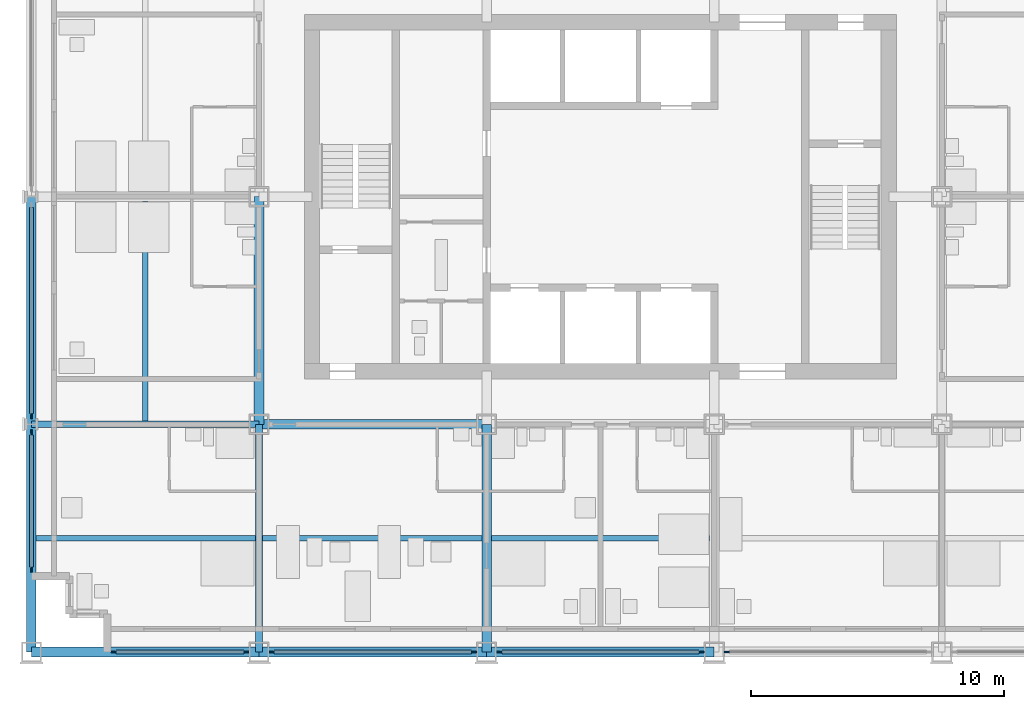
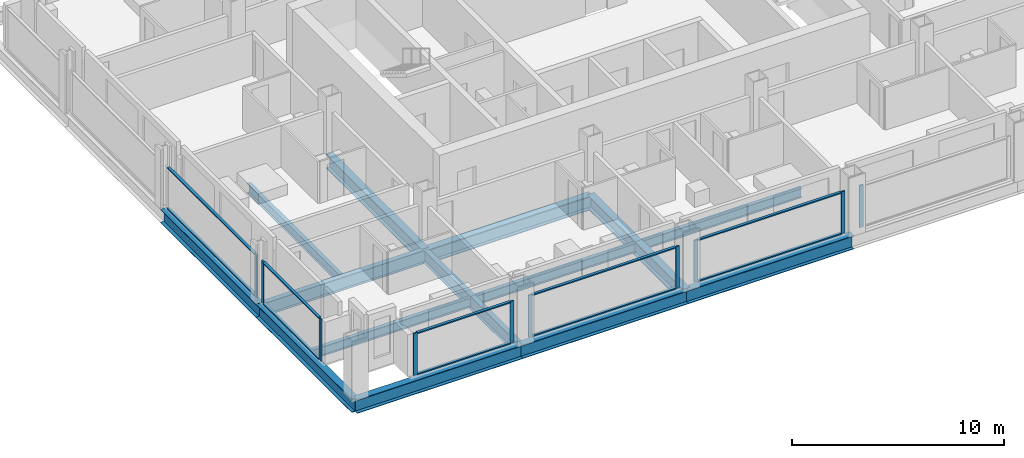
# One storey, part 2 of 16: 20 members, 14 beams, 6 elements without a shape of their own.
"""IFC4 building model written with IfcOpenShell, lengths in metres."""

from ifc_helpers import new_model, si_unit, direction, frame, origin, origin_2d, place, context, subcontext, project, spatial, rectangle, i_section, extrude, material, material_profile, profile_set, type_object, element, aggregate, save


model = new_model("IFC4")

# Units and contexts
model_context = context("Model", 3, precision=1e-05, world=origin(), true_north=direction((0.0, 1.0)))
body_context = subcontext(model_context, "Body", "Model", "MODEL_VIEW")
ifc_project = project(units=[si_unit("LENGTHUNIT", "METRE"), si_unit("AREAUNIT", "SQUARE_METRE"), si_unit("VOLUMEUNIT", "CUBIC_METRE"), si_unit("PLANEANGLEUNIT", "RADIAN"), si_unit("MASSUNIT", "GRAM", prefix="KILO")], contexts=[model_context])

# Site, building, storey
site_placement = place(None, origin())
site = spatial("IfcSite", under=ifc_project, at=site_placement, CompositionType="ELEMENT")
building_placement = place(site_placement, origin())
building = spatial("IfcBuilding", under=site, at=building_placement, Name="Loomwork Tower", CompositionType="ELEMENT")
storey_placement = place(building_placement, frame((0.0, 0.0, 135.0)))
storey = spatial("IfcBuildingStorey", under=building, at=storey_placement, Name="L36", CompositionType="ELEMENT", Elevation=135.0)

# Beams
ifc_material_1 = material(Name="Steel ASTM A992", Category="steel")
ifc_material_profile_1 = material_profile(ifc_material_1, i_section(OverallWidth=0.383544921875, OverallDepth=0.794921875, WebThickness=0.02099609375, FlangeThickness=0.0380859375, at=origin_2d()), Name="W30x235")
ifc_profile_set_1 = profile_set([ifc_material_profile_1], Name="Steel ASTM A992")
beam_type_1 = type_object("IfcBeamType", Name="CORE FLANK GIRDER W30x235", PredefinedType="BEAM", material=ifc_profile_set_1)
for number, where, z_axis, x_axis, name in (
    (1, (9.0, 9.0, -0.597412109375), (1.0, 0.0, 0.0), (0.0, 1.0, 0.0), "Core Flank Girder E/3-E/4 L36"),
    (2, (9.0, 9.0, -0.597412109375), (0.0, 1.0, 0.0), (-1.0, 0.0, 0.0), "Core Flank Girder E/3-F/3 L36"),
    (3, (18.0, 0.0, -0.597412109375), (0.0, 1.0, 0.0), (-1.0, 0.0, 0.0), "Core Flank Girder D/4-E/4 L36"),
):
    element("IfcBeam", number, at=place(storey_placement, frame(where, z_axis=z_axis, x_axis=x_axis)), inside=storey, type_object=beam_type_1, Name=name, PredefinedType="BEAM", context=body_context, shape_type="SweptSolid", body=[
        extrude(i_section(OverallWidth=0.383544921875, OverallDepth=0.794921875, WebThickness=0.02099609375, FlangeThickness=0.0380859375, at=origin_2d()), origin(), (0.0, 0.0, 1.0), 9.0),
    ])
ifc_material_2 = material(Name="Steel ASTM A992", Category="steel")
ifc_material_profile_2 = material_profile(ifc_material_2, i_section(OverallWidth=0.2666015625, OverallDepth=0.761962890625, WebThickness=0.014404296875, FlangeThickness=0.021484375, at=origin_2d()), Name="W30x116")
ifc_profile_set_2 = profile_set([ifc_material_profile_2], Name="Steel ASTM A992")
beam_type_2 = type_object("IfcBeamType", Name="FLOOR GIRDER W30x116", PredefinedType="BEAM", material=ifc_profile_set_2)
for number, where, z_axis, x_axis, name in (
    (4, (0.0, 9.0, -0.5810546875), (1.0, 0.0, 0.0), (0.0, 1.0, 0.0), "Floor Girder E/2-E/3 L36"),
    (5, (9.0, 0.0, -0.5810546875), (0.0, 1.0, 0.0), (-1.0, 0.0, 0.0), "Floor Girder D/3-E/3 L36"),
):
    element("IfcBeam", number, at=place(storey_placement, frame(where, z_axis=z_axis, x_axis=x_axis)), inside=storey, type_object=beam_type_2, Name=name, PredefinedType="BEAM", context=body_context, shape_type="SweptSolid", body=[
        extrude(i_section(OverallWidth=0.2666015625, OverallDepth=0.761962890625, WebThickness=0.014404296875, FlangeThickness=0.021484375, at=origin_2d()), origin(), (0.0, 0.0, 1.0), 9.0),
    ])
ifc_material_3 = material(Name="Steel ASTM A992", Category="steel")
ifc_material_profile_3 = material_profile(ifc_material_3, i_section(OverallWidth=0.2109375, OverallDepth=0.53857421875, WebThickness=0.011474609375, FlangeThickness=0.018798828125, at=origin_2d()), Name="W21x73")
ifc_profile_set_3 = profile_set([ifc_material_profile_3], Name="Steel ASTM A992")
beam_type_3 = type_object("IfcBeamType", Name="FLOOR JOIST W21x73", PredefinedType="JOIST", material=ifc_profile_set_3)
beam_1_placement = place(storey_placement, frame((0.18994140625, 4.5, -0.46923828125), z_axis=(1.0, 0.0, 0.0), x_axis=(0.0, 1.0, 0.0)))
element("IfcBeam", 6, at=beam_1_placement, inside=storey, type_object=beam_type_3, Name="Floor Joist 0.000,4.500-9.000,4.500 L36", PredefinedType="JOIST", context=body_context, shape_type="SweptSolid", body=[
    extrude(i_section(OverallWidth=0.2109375, OverallDepth=0.53857421875, WebThickness=0.011474609375, FlangeThickness=0.018798828125, at=origin_2d()), origin(), (0.0, 0.0, 1.0), 8.677001953125),
])
for number, where, z_axis, x_axis, name in (
    (7, (4.5, 9.133056640625, -0.46923828125), (0.0, 1.0, 0.0), (-1.0, 0.0, 0.0), "Floor Joist 4.500,9.000-4.500,18.000 L36"),
    (8, (9.133056640625, 4.5, -0.46923828125), (1.0, 0.0, 0.0), (0.0, 1.0, 0.0), "Floor Joist 9.000,4.500-18.000,4.500 L36"),
):
    element("IfcBeam", number, at=place(storey_placement, frame(where, z_axis=z_axis, x_axis=x_axis)), inside=storey, type_object=beam_type_3, Name=name, PredefinedType="JOIST", context=body_context, shape_type="SweptSolid", body=[
        extrude(i_section(OverallWidth=0.2109375, OverallDepth=0.53857421875, WebThickness=0.011474609375, FlangeThickness=0.018798828125, at=origin_2d()), origin(), (0.0, 0.0, 1.0), 8.676025390625),
    ])
beam_2_placement = place(storey_placement, frame((18.19091796875, 4.5, -0.46923828125), z_axis=(1.0, 0.0, 0.0), x_axis=(0.0, 1.0, 0.0)))
element("IfcBeam", 9, at=beam_2_placement, inside=storey, type_object=beam_type_3, Name="Floor Joist 18.000,4.500-27.000,4.500 L36", PredefinedType="JOIST", context=body_context, shape_type="SweptSolid", body=[
    extrude(i_section(OverallWidth=0.2109375, OverallDepth=0.53857421875, WebThickness=0.011474609375, FlangeThickness=0.018798828125, at=origin_2d()), origin(), (0.0, 0.0, 1.0), 8.6181640625),
])

# Curtain wall, members
ifc_material_4 = material(Name="Aluminium curtain wall frame", Category="aluminium")
curtain_wall_type = type_object("IfcCurtainWallType", Name="Outer skin glazing hotel", PredefinedType="NOTDEFINED", material=ifc_material_4)
curtain_wall_1_placement = place(storey_placement, origin())
curtain_wall_1 = element("IfcCurtainWall", 10, at=curtain_wall_1_placement, inside=storey, type_object=curtain_wall_type, Name="Outer skin glazing hotel cw/S-0", PredefinedType="NOTDEFINED")
ifc_material_5 = material(Name="Aluminium curtain wall frame", Category="aluminium")
ifc_material_profile_4 = material_profile(ifc_material_5, rectangle(XDim=0.06494140625, YDim=0.199951171875, at=origin_2d()), Name="AL 65x200")
ifc_profile_set_4 = profile_set([ifc_material_profile_4], Name="Aluminium curtain wall frame")
member_type_1 = type_object("IfcMemberType", Name="Outer skin glazing hotel mullion", PredefinedType="MULLION", material=ifc_profile_set_4)
member_1_placement = place(storey_placement, frame((3.25, 0.0, 0.0), z_axis=(0.0, 0.0, 1.0), x_axis=(0.0, 1.0, 0.0)))
member_1 = element("IfcMember", 11, at=member_1_placement, type_object=member_type_1, Name="CW1 mullion 1", PredefinedType="MULLION", context=body_context, shape_type="SweptSolid", body=[
    extrude(rectangle(XDim=0.06494140625, YDim=0.199951171875, at=origin_2d()), origin(), (0.0, 0.0, 1.0), 2.420166015625),
])
member_2_placement = place(storey_placement, frame((8.5, 0.0, 0.0), z_axis=(0.0, 0.0, 1.0), x_axis=(0.0, 1.0, 0.0)))
member_2 = element("IfcMember", 12, at=member_2_placement, type_object=member_type_1, Name="CW1 mullion 2", PredefinedType="MULLION", context=body_context, shape_type="SweptSolid", body=[
    extrude(rectangle(XDim=0.06494140625, YDim=0.199951171875, at=origin_2d()), origin(), (0.0, 0.0, 1.0), 2.420166015625),
])

curtain_wall_2_placement = place(storey_placement, origin())
curtain_wall_2 = element("IfcCurtainWall", 13, at=curtain_wall_2_placement, inside=storey, type_object=curtain_wall_type, Name="Outer skin glazing hotel cw/S-9", PredefinedType="NOTDEFINED")
member_3_placement = place(storey_placement, frame((9.5, 0.0, 0.0), z_axis=(0.0, 0.0, 1.0), x_axis=(0.0, 1.0, 0.0)))
member_3 = element("IfcMember", 14, at=member_3_placement, type_object=member_type_1, Name="CW1 mullion 1", PredefinedType="MULLION", context=body_context, shape_type="SweptSolid", body=[
    extrude(rectangle(XDim=0.06494140625, YDim=0.199951171875, at=origin_2d()), origin(), (0.0, 0.0, 1.0), 2.420166015625),
])
member_4_placement = place(storey_placement, frame((17.5, 0.0, 0.0), z_axis=(0.0, 0.0, 1.0), x_axis=(0.0, 1.0, 0.0)))
member_4 = element("IfcMember", 15, at=member_4_placement, type_object=member_type_1, Name="CW1 mullion 2", PredefinedType="MULLION", context=body_context, shape_type="SweptSolid", body=[
    extrude(rectangle(XDim=0.06494140625, YDim=0.199951171875, at=origin_2d()), origin(), (0.0, 0.0, 1.0), 2.420166015625),
])

curtain_wall_3_placement = place(storey_placement, origin())
curtain_wall_3 = element("IfcCurtainWall", 16, at=curtain_wall_3_placement, inside=storey, type_object=curtain_wall_type, Name="Outer skin glazing hotel cw/S-18", PredefinedType="NOTDEFINED")
member_5_placement = place(storey_placement, frame((18.5, 0.0, 0.0), z_axis=(0.0, 0.0, 1.0), x_axis=(0.0, 1.0, 0.0)))
member_5 = element("IfcMember", 17, at=member_5_placement, type_object=member_type_1, Name="CW1 mullion 1", PredefinedType="MULLION", context=body_context, shape_type="SweptSolid", body=[
    extrude(rectangle(XDim=0.06494140625, YDim=0.199951171875, at=origin_2d()), origin(), (0.0, 0.0, 1.0), 2.420166015625),
])
member_6_placement = place(storey_placement, frame((26.5, 0.0, 0.0), z_axis=(0.0, 0.0, 1.0), x_axis=(0.0, 1.0, 0.0)))
member_6 = element("IfcMember", 18, at=member_6_placement, type_object=member_type_1, Name="CW1 mullion 2", PredefinedType="MULLION", context=body_context, shape_type="SweptSolid", body=[
    extrude(rectangle(XDim=0.06494140625, YDim=0.199951171875, at=origin_2d()), origin(), (0.0, 0.0, 1.0), 2.420166015625),
])

# Curtain wall, member
curtain_wall_4_placement = place(storey_placement, origin())
curtain_wall_4 = element("IfcCurtainWall", 19, at=curtain_wall_4_placement, inside=storey, type_object=curtain_wall_type, Name="Outer skin glazing hotel cw/S-27", PredefinedType="NOTDEFINED")
member_7_placement = place(storey_placement, frame((27.5, 0.0, 0.0), z_axis=(0.0, 0.0, 1.0), x_axis=(0.0, 1.0, 0.0)))
member_7 = element("IfcMember", 20, at=member_7_placement, type_object=member_type_1, Name="CW1 mullion 1", PredefinedType="MULLION", context=body_context, shape_type="SweptSolid", body=[
    extrude(rectangle(XDim=0.06494140625, YDim=0.199951171875, at=origin_2d()), origin(), (0.0, 0.0, 1.0), 2.420166015625),
])
aggregate(curtain_wall_4, [member_7])

# Curtain wall, members
curtain_wall_5_placement = place(storey_placement, origin())
curtain_wall_5 = element("IfcCurtainWall", 21, at=curtain_wall_5_placement, inside=storey, type_object=curtain_wall_type, Name="Outer skin glazing hotel cw/W-0", PredefinedType="NOTDEFINED")
member_8_placement = place(storey_placement, frame((0.0, 8.678955078125, 0.0), z_axis=(0.0, 0.0, 1.0), x_axis=(1.0, 0.0, 0.0)))
member_8 = element("IfcMember", 22, at=member_8_placement, type_object=member_type_1, Name="CW1 mullion 1", PredefinedType="MULLION", context=body_context, shape_type="SweptSolid", body=[
    extrude(rectangle(XDim=0.06494140625, YDim=0.199951171875, at=origin_2d()), origin(), (0.0, 0.0, 1.0), 2.420166015625),
])
member_9_placement = place(storey_placement, frame((0.0, 3.25, 0.0), z_axis=(0.0, 0.0, 1.0), x_axis=(1.0, 0.0, 0.0)))
member_9 = element("IfcMember", 23, at=member_9_placement, type_object=member_type_1, Name="CW1 mullion 2", PredefinedType="MULLION", context=body_context, shape_type="SweptSolid", body=[
    extrude(rectangle(XDim=0.06494140625, YDim=0.199951171875, at=origin_2d()), origin(), (0.0, 0.0, 1.0), 2.420166015625),
])

# Curtain wall, member
curtain_wall_6_placement = place(storey_placement, origin())
curtain_wall_6 = element("IfcCurtainWall", 24, at=curtain_wall_6_placement, inside=storey, type_object=curtain_wall_type, Name="Outer skin glazing hotel cw/W-9", PredefinedType="NOTDEFINED")
member_10_placement = place(storey_placement, frame((0.0, 9.321044921875, 0.0), z_axis=(0.0, 0.0, 1.0), x_axis=(1.0, 0.0, 0.0)))
member_10 = element("IfcMember", 25, at=member_10_placement, type_object=member_type_1, Name="CW1 mullion 2", PredefinedType="MULLION", context=body_context, shape_type="SweptSolid", body=[
    extrude(rectangle(XDim=0.06494140625, YDim=0.199951171875, at=origin_2d()), origin(), (0.0, 0.0, 1.0), 2.420166015625),
])

# Member
ifc_material_6 = material(Name="Aluminium curtain wall frame", Category="aluminium")
ifc_material_profile_5 = material_profile(ifc_material_6, rectangle(XDim=0.14990234375, YDim=0.06494140625, at=origin_2d()), Name="AL 65x150")
ifc_profile_set_5 = profile_set([ifc_material_profile_5], Name="Aluminium curtain wall frame")
member_type_2 = type_object("IfcMemberType", Name="Outer skin glazing hotel transom", PredefinedType="USERDEFINED", material=ifc_profile_set_5)
member_11_placement = place(storey_placement, frame((3.35009765625, 0.0, 0.032470703125), z_axis=(1.0, 0.0, 0.0), x_axis=(0.0, 1.0, 0.0)))
member_11 = element("IfcMember", 26, at=member_11_placement, type_object=member_type_2, Name="CW1 transom 1.1", ObjectType="TRANSOM", PredefinedType="USERDEFINED", context=body_context, shape_type="SweptSolid", body=[
    extrude(rectangle(XDim=0.14990234375, YDim=0.06494140625, at=origin_2d()), origin(), (0.0, 0.0, 1.0), 5.0498046875),
])

member_12_placement = place(storey_placement, frame((3.35009765625, 0.0, 2.3876953125), z_axis=(1.0, 0.0, 0.0), x_axis=(0.0, 1.0, 0.0)))
member_12 = element("IfcMember", 27, at=member_12_placement, type_object=member_type_2, Name="CW1 transom 1.2", ObjectType="TRANSOM", PredefinedType="USERDEFINED", context=body_context, shape_type="SweptSolid", body=[
    extrude(rectangle(XDim=0.14990234375, YDim=0.06494140625, at=origin_2d()), origin(), (0.0, 0.0, 1.0), 5.0498046875),
])

aggregate(curtain_wall_1, [member_1, member_2, member_11, member_12])

member_13_placement = place(storey_placement, frame((9.60009765625, 0.0, 0.032470703125), z_axis=(1.0, 0.0, 0.0), x_axis=(0.0, 1.0, 0.0)))
member_13 = element("IfcMember", 28, at=member_13_placement, type_object=member_type_2, Name="CW1 transom 1.1", ObjectType="TRANSOM", PredefinedType="USERDEFINED", context=body_context, shape_type="SweptSolid", body=[
    extrude(rectangle(XDim=0.14990234375, YDim=0.06494140625, at=origin_2d()), origin(), (0.0, 0.0, 1.0), 7.7998046875),
])

member_14_placement = place(storey_placement, frame((9.60009765625, 0.0, 2.3876953125), z_axis=(1.0, 0.0, 0.0), x_axis=(0.0, 1.0, 0.0)))
member_14 = element("IfcMember", 29, at=member_14_placement, type_object=member_type_2, Name="CW1 transom 1.2", ObjectType="TRANSOM", PredefinedType="USERDEFINED", context=body_context, shape_type="SweptSolid", body=[
    extrude(rectangle(XDim=0.14990234375, YDim=0.06494140625, at=origin_2d()), origin(), (0.0, 0.0, 1.0), 7.7998046875),
])

aggregate(curtain_wall_2, [member_3, member_4, member_13, member_14])

member_15_placement = place(storey_placement, frame((18.60009765625, 0.0, 0.032470703125), z_axis=(1.0, 0.0, 0.0), x_axis=(0.0, 1.0, 0.0)))
member_15 = element("IfcMember", 30, at=member_15_placement, type_object=member_type_2, Name="CW1 transom 1.1", ObjectType="TRANSOM", PredefinedType="USERDEFINED", context=body_context, shape_type="SweptSolid", body=[
    extrude(rectangle(XDim=0.14990234375, YDim=0.06494140625, at=origin_2d()), origin(), (0.0, 0.0, 1.0), 7.7998046875),
])

member_16_placement = place(storey_placement, frame((18.60009765625, 0.0, 2.3876953125), z_axis=(1.0, 0.0, 0.0), x_axis=(0.0, 1.0, 0.0)))
member_16 = element("IfcMember", 31, at=member_16_placement, type_object=member_type_2, Name="CW1 transom 1.2", ObjectType="TRANSOM", PredefinedType="USERDEFINED", context=body_context, shape_type="SweptSolid", body=[
    extrude(rectangle(XDim=0.14990234375, YDim=0.06494140625, at=origin_2d()), origin(), (0.0, 0.0, 1.0), 7.7998046875),
])

aggregate(curtain_wall_3, [member_5, member_6, member_15, member_16])

member_17_placement = place(storey_placement, frame((0.0, 8.5791015625, 0.032470703125), z_axis=(0.0, -1.0, 0.0), x_axis=(1.0, 0.0, 0.0)))
member_17 = element("IfcMember", 32, at=member_17_placement, type_object=member_type_2, Name="CW1 transom 1.1", ObjectType="TRANSOM", PredefinedType="USERDEFINED", context=body_context, shape_type="SweptSolid", body=[
    extrude(rectangle(XDim=0.14990234375, YDim=0.06494140625, at=origin_2d()), origin(), (0.0, 0.0, 1.0), 5.22900390625),
])

member_18_placement = place(storey_placement, frame((0.0, 8.5791015625, 2.3876953125), z_axis=(0.0, -1.0, 0.0), x_axis=(1.0, 0.0, 0.0)))
member_18 = element("IfcMember", 33, at=member_18_placement, type_object=member_type_2, Name="CW1 transom 1.2", ObjectType="TRANSOM", PredefinedType="USERDEFINED", context=body_context, shape_type="SweptSolid", body=[
    extrude(rectangle(XDim=0.14990234375, YDim=0.06494140625, at=origin_2d()), origin(), (0.0, 0.0, 1.0), 5.22900390625),
])

aggregate(curtain_wall_5, [member_8, member_9, member_17, member_18])

member_19_placement = place(storey_placement, frame((0.0, 17.5791015625, 0.032470703125), z_axis=(0.0, -1.0, 0.0), x_axis=(1.0, 0.0, 0.0)))
member_19 = element("IfcMember", 34, at=member_19_placement, type_object=member_type_2, Name="CW1 transom 1.1", ObjectType="TRANSOM", PredefinedType="USERDEFINED", context=body_context, shape_type="SweptSolid", body=[
    extrude(rectangle(XDim=0.14990234375, YDim=0.06494140625, at=origin_2d()), origin(), (0.0, 0.0, 1.0), 8.158203125),
])

member_20_placement = place(storey_placement, frame((0.0, 17.5791015625, 2.3876953125), z_axis=(0.0, -1.0, 0.0), x_axis=(1.0, 0.0, 0.0)))
member_20 = element("IfcMember", 35, at=member_20_placement, type_object=member_type_2, Name="CW1 transom 1.2", ObjectType="TRANSOM", PredefinedType="USERDEFINED", context=body_context, shape_type="SweptSolid", body=[
    extrude(rectangle(XDim=0.14990234375, YDim=0.06494140625, at=origin_2d()), origin(), (0.0, 0.0, 1.0), 8.158203125),
])

aggregate(curtain_wall_6, [member_10, member_19, member_20])

# Beams
ifc_material_7 = material(Name="Steel ASTM A992", Category="steel")
ifc_material_profile_6 = material_profile(ifc_material_7, i_section(OverallWidth=0.381103515625, OverallDepth=0.77978515625, WebThickness=0.01806640625, FlangeThickness=0.0302734375, at=origin_2d()), Name="W30x191")
ifc_profile_set_6 = profile_set([ifc_material_profile_6], Name="Steel ASTM A992")
beam_type_4 = type_object("IfcBeamType", Name="SPANDREL GIRDER W30x191", PredefinedType="SPANDREL", material=ifc_profile_set_6)
for number, where, z_axis, x_axis, name in (
    (36, (0.0, 0.0, -0.58984375), (1.0, 0.0, 0.0), (0.0, 1.0, 0.0), "Spandrel Girder D/2-D/3 L36"),
    (37, (9.0, 0.0, -0.58984375), (1.0, 0.0, 0.0), (0.0, 1.0, 0.0), "Spandrel Girder D/3-D/4 L36"),
    (38, (18.0, 0.0, -0.58984375), (1.0, 0.0, 0.0), (0.0, 1.0, 0.0), "Spandrel Girder D/4-D/5 L36"),
    (39, (0.0, 0.0, -0.58984375), (0.0, 1.0, 0.0), (-1.0, 0.0, 0.0), "Spandrel Girder D/2-E/2 L36"),
    (40, (0.0, 9.0, -0.58984375), (0.0, 1.0, 0.0), (-1.0, 0.0, 0.0), "Spandrel Girder E/2-F/2 L36"),
):
    element("IfcBeam", number, at=place(storey_placement, frame(where, z_axis=z_axis, x_axis=x_axis)), inside=storey, type_object=beam_type_4, Name=name, PredefinedType="SPANDREL", context=body_context, shape_type="SweptSolid", body=[
        extrude(i_section(OverallWidth=0.381103515625, OverallDepth=0.77978515625, WebThickness=0.01806640625, FlangeThickness=0.0302734375, at=origin_2d()), origin(), (0.0, 0.0, 1.0), 9.0),
    ])

save(model, "model.ifc")
